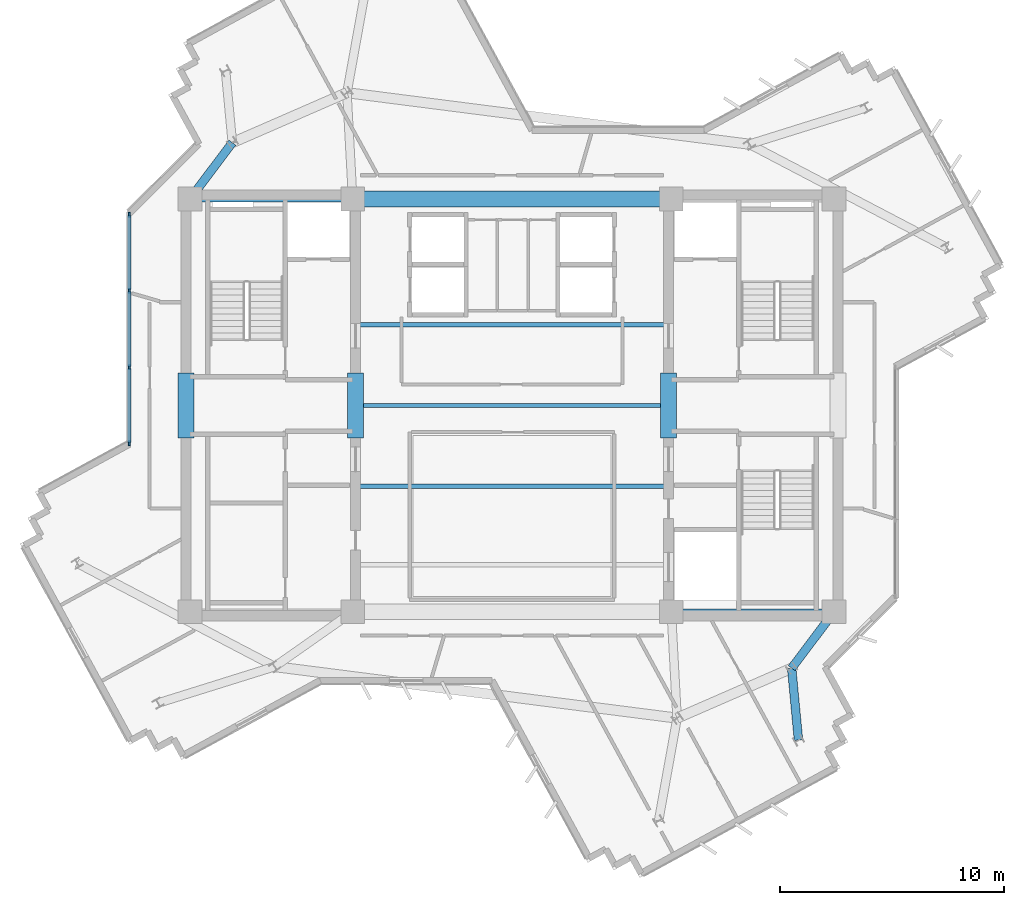
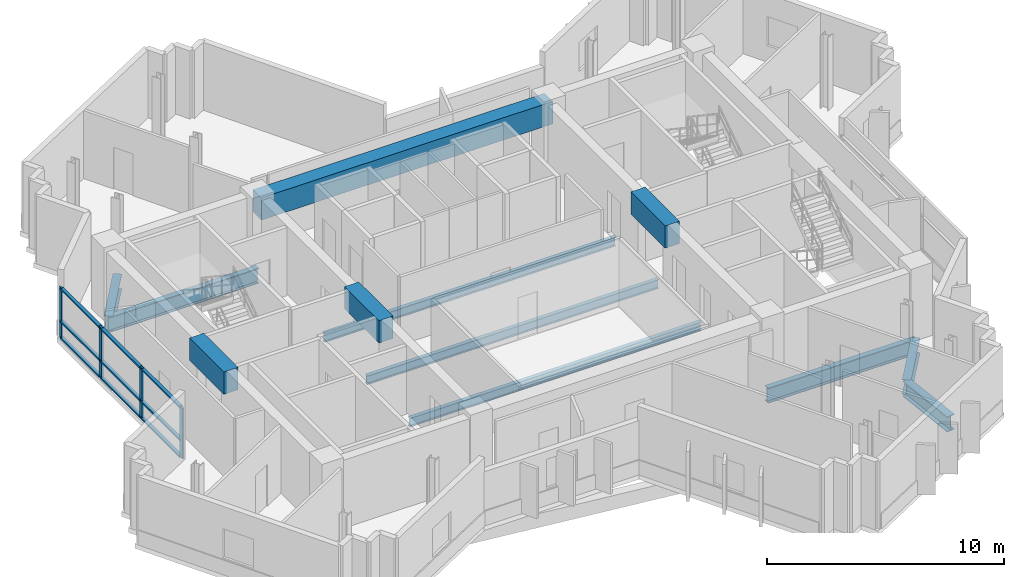
# One storey, part 2 of 13: 13 members, 12 beams, 1 element without a shape of its own.
"""IFC4 building model written with IfcOpenShell, lengths in metres."""

from ifc_helpers import new_model, si_unit, direction, frame, origin, origin_2d, place, context, subcontext, project, spatial, rectangle, i_section, extrude, source, transform, mapped, material, layer, layer_set, material_profile, profile_set, type_object, element, aggregate, save


model = new_model("IFC4")

# Units and contexts
model_context = context("Model", 3, precision=1e-05, world=origin(), true_north=direction((0.0, 1.0)))
body_context = subcontext(model_context, "Body", "Model", "MODEL_VIEW")
ifc_project = project(units=[si_unit("LENGTHUNIT", "METRE"), si_unit("AREAUNIT", "SQUARE_METRE"), si_unit("VOLUMEUNIT", "CUBIC_METRE"), si_unit("PLANEANGLEUNIT", "RADIAN"), si_unit("MASSUNIT", "GRAM", prefix="KILO")], contexts=[model_context])

# Site, building, storey
site_placement = place(None, origin())
site = spatial("IfcSite", under=ifc_project, at=site_placement, CompositionType="ELEMENT")
building_placement = place(site_placement, origin())
building = spatial("IfcBuilding", under=site, at=building_placement, Name="Zahravan Cultural Tower", CompositionType="ELEMENT")
storey_placement = place(building_placement, frame((0.0, 0.0, 250.35009765625)))
storey = spatial("IfcBuildingStorey", under=building, at=storey_placement, Name="L59", CompositionType="ELEMENT", Elevation=250.35009765625)

# Beams
ifc_material_1 = material(Name="Concrete C50/60", Category="concrete")
ifc_material_profile_1 = material_profile(ifc_material_1, rectangle(XDim=0.699951171875, YDim=1.14990234375, at=origin_2d()), Name="RC700X1150")
ifc_profile_set_1 = profile_set([ifc_material_profile_1], Name="Concrete C50/60")
beam_type_1 = type_object("IfcBeamType", Name="BM-LN-RC700X1150", PredefinedType="LINTEL", material=ifc_profile_set_1)
shared_shape_1 = source(origin(), body_context, "Body", "SweptSolid", [
    extrude(rectangle(XDim=0.699951171875, YDim=1.14990234375, at=origin_2d()), origin(), (0.0, 0.0, 1.0), 14.2001953125),
])
beam_1_placement = place(storey_placement, frame((28.89990234375, 36.199951171875, 2.9248046875), z_axis=(1.0, 0.0, 0.0), x_axis=(0.0, 1.0, 0.0)))
element("IfcBeam", 1, at=beam_1_placement, inside=storey, type_object=beam_type_1, Name="L59 Beam LN-L59-N", PredefinedType="LINTEL", context=body_context, shape_type="MappedRepresentation", body=[
    mapped(shared_shape_1, transform((0.0, 0.0, 0.0), x_axis=(1.0, 0.0, 0.0), y_axis=(0.0, 1.0, 0.0), z_axis=(0.0, 0.0, 1.0), scale=1.0)),
])
shared_shape_2 = source(origin(), body_context, "Body", "SweptSolid", [
    extrude(rectangle(XDim=0.699951171875, YDim=1.14990234375, at=origin_2d()), origin(), (0.0, 0.0, 1.0), 2.89990234375),
])
for number, where, z_axis, x_axis, name in (
    (2, (21.47509765625, 25.550048828125, 2.9248046875), (0.0, 1.0, 0.0), (-1.0, 0.0, 0.0), "L59 Beam LN-L59-PWW"),
    (3, (29.02490234375, 25.550048828125, 2.9248046875), (0.0, 1.0, 0.0), (-1.0, 0.0, 0.0), "L59 Beam LN-L59-PWE"),
    (4, (42.97509765625, 25.550048828125, 2.9248046875), (0.0, 1.0, 0.0), (-1.0, 0.0, 0.0), "L59 Beam LN-L59-PEW"),
):
    element("IfcBeam", number, at=place(storey_placement, frame(where, z_axis=z_axis, x_axis=x_axis)), inside=storey, type_object=beam_type_1, Name=name, PredefinedType="LINTEL", context=body_context, shape_type="MappedRepresentation", body=[
        mapped(shared_shape_2, transform((0.0, 0.0, 0.0), x_axis=(1.0, 0.0, 0.0), y_axis=(0.0, 1.0, 0.0), z_axis=(0.0, 0.0, 1.0), scale=1.0)),
    ])
ifc_material_2 = material(Name="Steel ASTM A992 Grade 50", Category="steel")
ifc_material_profile_2 = material_profile(ifc_material_2, i_section(OverallWidth=0.26611328125, OverallDepth=0.780029296875, WebThickness=0.0166015625, FlangeThickness=0.030029296875, FilletRadius=0.01904296875, at=origin_2d()), Name="W30X148")
ifc_profile_set_2 = profile_set([ifc_material_profile_2], Name="Steel ASTM A992 Grade 50")
beam_type_2 = type_object("IfcBeamType", Name="BM-G-W30X148", PredefinedType="BEAM", material=ifc_profile_set_2)
shared_shape_3 = source(origin(), body_context, "Body", "SweptSolid", [
    extrude(i_section(OverallWidth=0.26611328125, OverallDepth=0.780029296875, WebThickness=0.0166015625, FlangeThickness=0.030029296875, FilletRadius=0.01904296875, at=origin_2d()), origin(), (0.0, 0.0, 1.0), 7.25),
])
for number, where, z_axis, x_axis, name in (
    (5, (21.64990234375, 36.199951171875, -0.64013671875), (1.0, 0.0, 0.0), (0.0, 1.0, 0.0), "L59 Beam BG-L59-02"),
    (6, (43.10009765625, 17.800048828125, -0.64013671875), (1.0, 0.0, 0.0), (0.0, 1.0, 0.0), "L59 Beam BG-L59-04"),
):
    element("IfcBeam", number, at=place(storey_placement, frame(where, z_axis=z_axis, x_axis=x_axis)), inside=storey, type_object=beam_type_2, Name=name, PredefinedType="BEAM", context=body_context, shape_type="MappedRepresentation", body=[
        mapped(shared_shape_3, transform((0.0, 0.0, 0.0), x_axis=(1.0, 0.0, 0.0), y_axis=(0.0, 1.0, 0.0), z_axis=(0.0, 0.0, 1.0), scale=1.0)),
    ])
ifc_material_profile_3 = material_profile(ifc_material_2, i_section(OverallWidth=0.18994140625, OverallDepth=0.45703125, WebThickness=0.009033203125, FlangeThickness=0.014404296875, FilletRadius=0.012939453125, at=origin_2d()), Name="W18X50")
ifc_profile_set_3 = profile_set([ifc_material_profile_3], Name="Steel ASTM A992 Grade 50")
beam_type_3 = type_object("IfcBeamType", Name="BM-J-W18X50", PredefinedType="JOIST", material=ifc_profile_set_3)
shared_shape_4 = source(origin(), body_context, "Body", "SweptSolid", [
    extrude(i_section(OverallWidth=0.18994140625, OverallDepth=0.45703125, WebThickness=0.009033203125, FlangeThickness=0.014404296875, FilletRadius=0.012939453125, at=origin_2d()), origin(), (0.0, 0.0, 1.0), 14.2001953125),
])
for number, where, z_axis, x_axis, name in (
    (7, (28.89990234375, 23.39990234375, -0.478515625), (1.0, 0.0, 0.0), (0.0, 1.0, 0.0), "L59 Beam BJ-L59-25"),
    (8, (28.89990234375, 27.0, -0.478515625), (1.0, 0.0, 0.0), (0.0, 1.0, 0.0), "L59 Beam BJ-L59-26"),
    (9, (28.89990234375, 30.60009765625, -0.478515625), (1.0, 0.0, 0.0), (0.0, 1.0, 0.0), "L59 Beam BJ-L59-27"),
):
    element("IfcBeam", number, at=place(storey_placement, frame(where, z_axis=z_axis, x_axis=x_axis)), inside=storey, type_object=beam_type_3, Name=name, PredefinedType="JOIST", context=body_context, shape_type="MappedRepresentation", body=[
        mapped(shared_shape_4, transform((0.0, 0.0, 0.0), x_axis=(1.0, 0.0, 0.0), y_axis=(0.0, 1.0, 0.0), z_axis=(0.0, 0.0, 1.0), scale=1.0)),
    ])
ifc_material_profile_4 = material_profile(ifc_material_2, i_section(OverallWidth=0.382080078125, OverallDepth=0.779052734375, WebThickness=0.01806640625, FlangeThickness=0.030029296875, FilletRadius=0.01904296875, at=origin_2d()), Name="W30X191")
ifc_profile_set_4 = profile_set([ifc_material_profile_4], Name="Steel ASTM A992 Grade 50")
beam_type_4 = type_object("IfcBeamType", Name="BM-G-W30X191", PredefinedType="BEAM", material=ifc_profile_set_4)
shared_shape_5 = source(origin(), body_context, "Body", "SweptSolid", [
    extrude(i_section(OverallWidth=0.382080078125, OverallDepth=0.779052734375, WebThickness=0.01806640625, FlangeThickness=0.030029296875, FilletRadius=0.01904296875, at=origin_2d()), origin(), (0.0, 0.0, 1.0), 3.140380859375),
])
for number, where, z_axis, x_axis, name in (
    (10, (50.35009765625, 17.800048828125, -0.6396484375), (-0.600696322208, -0.799477284534, 0.0), (0.799477284534, -0.600696322208, 0.0), "L59 Beam BG-L59-09"),
    (11, (21.64990234375, 36.199951171875, -0.6396484375), (0.600696322208, 0.799477284534, 0.0), (-0.799477284534, 0.600696322208, 0.0), "L59 Beam BG-L59-11"),
):
    element("IfcBeam", number, at=place(storey_placement, frame(where, z_axis=z_axis, x_axis=x_axis)), inside=storey, type_object=beam_type_4, Name=name, PredefinedType="BEAM", context=body_context, shape_type="MappedRepresentation", body=[
        mapped(shared_shape_5, transform((0.0, 0.0, 0.0), x_axis=(1.0, 0.0, 0.0), y_axis=(0.0, 1.0, 0.0), z_axis=(0.0, 0.0, 1.0), scale=1.0)),
    ])
shared_shape_6 = source(origin(), body_context, "Body", "SweptSolid", [
    extrude(i_section(OverallWidth=0.382080078125, OverallDepth=0.779052734375, WebThickness=0.01806640625, FlangeThickness=0.030029296875, FilletRadius=0.01904296875, at=origin_2d()), origin(), (0.0, 0.0, 1.0), 3.218017578125),
])
beam_2_placement = place(storey_placement, frame((48.463623046875, 15.289306640625, -0.6396484375), z_axis=(0.094454641962, -0.995529166128, 0.0), x_axis=(0.995529166128, 0.094454641962, 0.0)))
element("IfcBeam", 12, at=beam_2_placement, inside=storey, type_object=beam_type_4, Name="L59 Beam BG-L59-19", PredefinedType="BEAM", context=body_context, shape_type="MappedRepresentation", body=[
    mapped(shared_shape_6, transform((0.0, 0.0, 0.0), x_axis=(1.0, 0.0, 0.0), y_axis=(0.0, 1.0, 0.0), z_axis=(0.0, 0.0, 1.0), scale=1.0)),
])

# Curtain wall, members
ifc_material_3 = material(Name="Anodised bronze-aluminium mullion", Category="aluminium")
ifc_layer = layer(ifc_material_3, 0.219970703125)
ifc_layer_set = layer_set([ifc_layer], Name="Anodised bronze-aluminium mullion")
curtain_wall_type = type_object("IfcCurtainWallType", Name="CW-SYS-1", PredefinedType="USERDEFINED", material=ifc_layer_set)
curtain_wall_placement = place(storey_placement, origin())
curtain_wall = element("IfcCurtainWall", 13, at=curtain_wall_placement, inside=storey, type_object=curtain_wall_type, Name="L59 Recessed Curtain Wall CW-1.2", ObjectType="RECESSED GLAZING", PredefinedType="USERDEFINED")
ifc_material_profile_5 = material_profile(ifc_material_3, rectangle(XDim=0.080078125, YDim=0.219970703125, at=origin_2d()), Name="AL-M80X220")
ifc_profile_set_5 = profile_set([ifc_material_profile_5], Name="Anodised bronze-aluminium mullion")
member_type_1 = type_object("IfcMemberType", Name="CWM-CW-1", PredefinedType="MULLION", material=ifc_profile_set_5)
shared_shape_7 = source(origin(), body_context, "Body", "SweptSolid", [
    extrude(rectangle(XDim=0.080078125, YDim=0.219970703125, at=origin_2d()), origin(), (0.0, 0.0, 1.0), 2.619873046875),
])
member_1_placement = place(storey_placement, frame((18.93994140625, 25.30859375, 0.0), z_axis=(0.0, 0.0, 1.0), x_axis=(-1.0, 0.0, 0.0)))
member_1 = element("IfcMember", 14, at=member_1_placement, type_object=member_type_1, Name="CW-1 mullion 1", PredefinedType="MULLION", context=body_context, shape_type="MappedRepresentation", body=[
    mapped(shared_shape_7, transform((0.0, 0.0, 0.0), x_axis=(1.0, 0.0, 0.0), y_axis=(0.0, 1.0, 0.0), z_axis=(0.0, 0.0, 1.0), scale=1.0)),
])
member_2_placement = place(storey_placement, frame((18.93994140625, 28.693115234375, 0.0), z_axis=(0.0, 0.0, 1.0), x_axis=(-1.0, 0.0, 0.0)))
member_2 = element("IfcMember", 15, at=member_2_placement, type_object=member_type_1, Name="CW-1 mullion 2", PredefinedType="MULLION", context=body_context, shape_type="MappedRepresentation", body=[
    mapped(shared_shape_7, transform((0.0, 0.0, 0.0), x_axis=(1.0, 0.0, 0.0), y_axis=(0.0, 1.0, 0.0), z_axis=(0.0, 0.0, 1.0), scale=1.0)),
])
member_3_placement = place(storey_placement, frame((18.93994140625, 32.117431640625, 0.0), z_axis=(0.0, 0.0, 1.0), x_axis=(-1.0, 0.0, 0.0)))
member_3 = element("IfcMember", 16, at=member_3_placement, type_object=member_type_1, Name="CW-1 mullion 3", PredefinedType="MULLION", context=body_context, shape_type="MappedRepresentation", body=[
    mapped(shared_shape_7, transform((0.0, 0.0, 0.0), x_axis=(1.0, 0.0, 0.0), y_axis=(0.0, 1.0, 0.0), z_axis=(0.0, 0.0, 1.0), scale=1.0)),
])
member_4_placement = place(storey_placement, frame((18.93994140625, 35.501953125, 0.0), z_axis=(0.0, 0.0, 1.0), x_axis=(-1.0, 0.0, 0.0)))
member_4 = element("IfcMember", 17, at=member_4_placement, type_object=member_type_1, Name="CW-1 mullion 4", PredefinedType="MULLION", context=body_context, shape_type="MappedRepresentation", body=[
    mapped(shared_shape_7, transform((0.0, 0.0, 0.0), x_axis=(1.0, 0.0, 0.0), y_axis=(0.0, 1.0, 0.0), z_axis=(0.0, 0.0, 1.0), scale=1.0)),
])
ifc_material_profile_6 = material_profile(ifc_material_3, rectangle(XDim=0.159912109375, YDim=0.080078125, at=origin_2d()), Name="AL-T80X160")
ifc_profile_set_6 = profile_set([ifc_material_profile_6], Name="Anodised bronze-aluminium mullion")
member_type_2 = type_object("IfcMemberType", Name="CWT-CW-1", PredefinedType="USERDEFINED", material=ifc_profile_set_6)
shared_shape_8 = source(origin(), body_context, "Body", "SweptSolid", [
    extrude(rectangle(XDim=0.159912109375, YDim=0.080078125, at=origin_2d()), origin(), (0.0, 0.0, 1.0), 3.3046875),
])
member_5_placement = place(storey_placement, frame((18.93994140625, 25.348388671875, 0.039794921875), z_axis=(0.0, 1.0, 0.0), x_axis=(-1.0, 0.0, 0.0)))
member_5 = element("IfcMember", 18, at=member_5_placement, type_object=member_type_2, Name="CW-1 transom 1.1", ObjectType="TRANSOM", PredefinedType="USERDEFINED", context=body_context, shape_type="MappedRepresentation", body=[
    mapped(shared_shape_8, transform((0.0, 0.0, 0.0), x_axis=(1.0, 0.0, 0.0), y_axis=(0.0, 1.0, 0.0), z_axis=(0.0, 0.0, 1.0), scale=1.0)),
])
member_6_placement = place(storey_placement, frame((18.93994140625, 25.348388671875, 0.89990234375), z_axis=(0.0, 1.0, 0.0), x_axis=(-1.0, 0.0, 0.0)))
member_6 = element("IfcMember", 19, at=member_6_placement, type_object=member_type_2, Name="CW-1 transom 1.2", ObjectType="TRANSOM", PredefinedType="USERDEFINED", context=body_context, shape_type="MappedRepresentation", body=[
    mapped(shared_shape_8, transform((0.0, 0.0, 0.0), x_axis=(1.0, 0.0, 0.0), y_axis=(0.0, 1.0, 0.0), z_axis=(0.0, 0.0, 1.0), scale=1.0)),
])
member_7_placement = place(storey_placement, frame((18.93994140625, 25.348388671875, 2.579833984375), z_axis=(0.0, 1.0, 0.0), x_axis=(-1.0, 0.0, 0.0)))
member_7 = element("IfcMember", 20, at=member_7_placement, type_object=member_type_2, Name="CW-1 transom 1.3", ObjectType="TRANSOM", PredefinedType="USERDEFINED", context=body_context, shape_type="MappedRepresentation", body=[
    mapped(shared_shape_8, transform((0.0, 0.0, 0.0), x_axis=(1.0, 0.0, 0.0), y_axis=(0.0, 1.0, 0.0), z_axis=(0.0, 0.0, 1.0), scale=1.0)),
])
shared_shape_9 = source(origin(), body_context, "Body", "SweptSolid", [
    extrude(rectangle(XDim=0.159912109375, YDim=0.080078125, at=origin_2d()), origin(), (0.0, 0.0, 1.0), 3.344482421875),
])
member_8_placement = place(storey_placement, frame((18.93994140625, 28.73291015625, 0.039794921875), z_axis=(0.0, 1.0, 0.0), x_axis=(-1.0, 0.0, 0.0)))
member_8 = element("IfcMember", 21, at=member_8_placement, type_object=member_type_2, Name="CW-1 transom 2.1", ObjectType="TRANSOM", PredefinedType="USERDEFINED", context=body_context, shape_type="MappedRepresentation", body=[
    mapped(shared_shape_9, transform((0.0, 0.0, 0.0), x_axis=(1.0, 0.0, 0.0), y_axis=(0.0, 1.0, 0.0), z_axis=(0.0, 0.0, 1.0), scale=1.0)),
])
member_9_placement = place(storey_placement, frame((18.93994140625, 28.73291015625, 0.89990234375), z_axis=(0.0, 1.0, 0.0), x_axis=(-1.0, 0.0, 0.0)))
member_9 = element("IfcMember", 22, at=member_9_placement, type_object=member_type_2, Name="CW-1 transom 2.2", ObjectType="TRANSOM", PredefinedType="USERDEFINED", context=body_context, shape_type="MappedRepresentation", body=[
    mapped(shared_shape_9, transform((0.0, 0.0, 0.0), x_axis=(1.0, 0.0, 0.0), y_axis=(0.0, 1.0, 0.0), z_axis=(0.0, 0.0, 1.0), scale=1.0)),
])
member_10_placement = place(storey_placement, frame((18.93994140625, 28.73291015625, 2.579833984375), z_axis=(0.0, 1.0, 0.0), x_axis=(-1.0, 0.0, 0.0)))
member_10 = element("IfcMember", 23, at=member_10_placement, type_object=member_type_2, Name="CW-1 transom 2.3", ObjectType="TRANSOM", PredefinedType="USERDEFINED", context=body_context, shape_type="MappedRepresentation", body=[
    mapped(shared_shape_9, transform((0.0, 0.0, 0.0), x_axis=(1.0, 0.0, 0.0), y_axis=(0.0, 1.0, 0.0), z_axis=(0.0, 0.0, 1.0), scale=1.0)),
])
shared_shape_10 = source(origin(), body_context, "Body", "SweptSolid", [
    extrude(rectangle(XDim=0.159912109375, YDim=0.080078125, at=origin_2d()), origin(), (0.0, 0.0, 1.0), 3.304443359375),
])
member_11_placement = place(storey_placement, frame((18.93994140625, 32.157470703125, 0.039794921875), z_axis=(0.0, 1.0, 0.0), x_axis=(-1.0, 0.0, 0.0)))
member_11 = element("IfcMember", 24, at=member_11_placement, type_object=member_type_2, Name="CW-1 transom 3.1", ObjectType="TRANSOM", PredefinedType="USERDEFINED", context=body_context, shape_type="MappedRepresentation", body=[
    mapped(shared_shape_10, transform((0.0, 0.0, 0.0), x_axis=(1.0, 0.0, 0.0), y_axis=(0.0, 1.0, 0.0), z_axis=(0.0, 0.0, 1.0), scale=1.0)),
])
member_12_placement = place(storey_placement, frame((18.93994140625, 32.157470703125, 0.89990234375), z_axis=(0.0, 1.0, 0.0), x_axis=(-1.0, 0.0, 0.0)))
member_12 = element("IfcMember", 25, at=member_12_placement, type_object=member_type_2, Name="CW-1 transom 3.2", ObjectType="TRANSOM", PredefinedType="USERDEFINED", context=body_context, shape_type="MappedRepresentation", body=[
    mapped(shared_shape_10, transform((0.0, 0.0, 0.0), x_axis=(1.0, 0.0, 0.0), y_axis=(0.0, 1.0, 0.0), z_axis=(0.0, 0.0, 1.0), scale=1.0)),
])
member_13_placement = place(storey_placement, frame((18.93994140625, 32.157470703125, 2.579833984375), z_axis=(0.0, 1.0, 0.0), x_axis=(-1.0, 0.0, 0.0)))
member_13 = element("IfcMember", 26, at=member_13_placement, type_object=member_type_2, Name="CW-1 transom 3.3", ObjectType="TRANSOM", PredefinedType="USERDEFINED", context=body_context, shape_type="MappedRepresentation", body=[
    mapped(shared_shape_10, transform((0.0, 0.0, 0.0), x_axis=(1.0, 0.0, 0.0), y_axis=(0.0, 1.0, 0.0), z_axis=(0.0, 0.0, 1.0), scale=1.0)),
])
aggregate(curtain_wall, [member_1, member_2, member_3, member_4, member_5, member_6, member_7, member_8, member_9, member_10, member_11, member_12, member_13])

save(model, "model.ifc")
